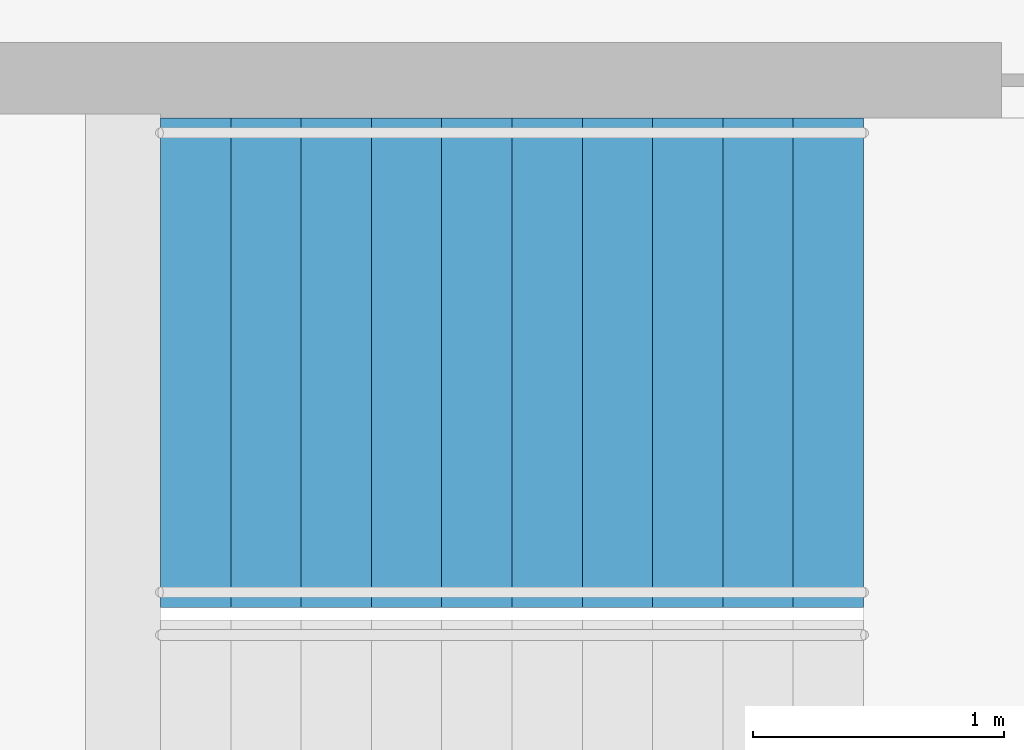
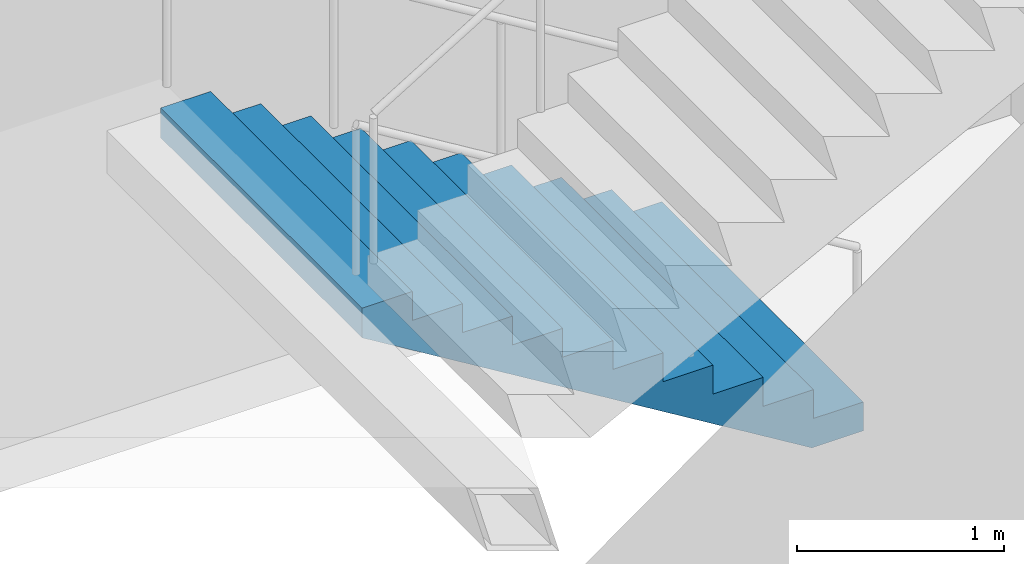
# One storey, part 23 of 24: 1 stair flight, 1 element without a shape of its own.
"""IFC4 building model written with IfcOpenShell, lengths in metres."""

from ifc_helpers import new_model, si_unit, direction, frame, origin, place, context, subcontext, project, spatial, triangles, material, type_object, element, aggregate, save


model = new_model("IFC4")

# Units and contexts
model_context = context("Model", 3, precision=1e-05, world=origin(), true_north=direction((0.0, 1.0)))
body_context = subcontext(model_context, "Body", "Model", "MODEL_VIEW")
ifc_project = project(units=[si_unit("LENGTHUNIT", "METRE"), si_unit("AREAUNIT", "SQUARE_METRE"), si_unit("VOLUMEUNIT", "CUBIC_METRE"), si_unit("PLANEANGLEUNIT", "RADIAN"), si_unit("MASSUNIT", "GRAM", prefix="KILO")], contexts=[model_context])

# Site, building, storey
site_placement = place(None, origin())
site = spatial("IfcSite", under=ifc_project, at=site_placement, CompositionType="ELEMENT")
building_placement = place(site_placement, origin())
building = spatial("IfcBuilding", under=site, at=building_placement, Name="Orbita Commons", CompositionType="ELEMENT")
storey_placement = place(building_placement, frame((0.0, 0.0, 20.199951171875)))
storey = spatial("IfcBuildingStorey", under=building, at=storey_placement, Name="L04", CompositionType="ELEMENT", Elevation=20.199951171875)

# Stair, stair flight
ifc_material_1 = material(Name="Precast concrete C40/50", Category="concrete")
stair_type = type_object("IfcStairType", Name="Exit stair S2 2 flights 11 risers 170", PredefinedType="HALF_TURN_STAIR", material=ifc_material_1)
stair_placement = place(storey_placement, origin())
stair = element("IfcStair", 1, at=stair_placement, inside=storey, type_object=stair_type, Name="Exit stair S2 L04", PredefinedType="HALF_TURN_STAIR")
ifc_material_2 = material(Name="Precast concrete C40/50", Category="concrete")
stair_flight_type = type_object("IfcStairFlightType", Name="Stair flight 11 risers 170 x 280", PredefinedType="STRAIGHT", material=ifc_material_2)
stair_flight_placement = place(storey_placement, frame((63.550048828125, 29.27490234375, 0.0), z_axis=(0.0, 0.0, 1.0), x_axis=(-1.0, 0.0, 0.0)))
stair_flight = element("IfcStairFlight", 2, at=stair_flight_placement, type_object=stair_flight_type, Name="S2 flight 1", NumberOfRisers=11, NumberOfTreads=10, PredefinedType="STRAIGHT", RiserHeight=0.170454545, TreadLength=0.28, context=body_context, shape_type="Tessellation", body=[
    triangles([(0.0, 0.974976, 0.0), (0.0, 0.974976, 0.021307), (0.0, 0.81248, 0.021307), (0.0, 0.81248, 0.0), (0.0, 0.649984, 0.021307), (0.0, 0.649984, 0.0), (0.0, 0.487488, 0.021307), (0.0, 0.487488, 0.0), (0.0, 0.324992, 0.021307), (0.0, 0.324992, 0.0), (0.0, 0.162496, 0.021307), (0.0, 0.162496, 0.0), (0.0, 0.0, 0.021307), (0.0, 0.0, 0.0), (0.0, -0.162496, 0.021307), (0.0, -0.162496, 0.0), (0.0, -0.324992, 0.021307), (0.0, -0.324992, 0.0), (0.0, -0.487488, 0.021307), (0.0, -0.487488, 0.0), (0.0, -0.649984, 0.021307), (0.0, -0.649984, 0.0), (0.0, -0.81248, 0.021307), (0.0, -0.81248, 0.0), (0.0, -0.974976, 0.021307), (0.0, -0.974976, 0.0), (0.0, 0.974976, 0.042614), (0.0, 0.81248, 0.042614), (0.0, 0.649984, 0.042614), (0.0, 0.487488, 0.042614), (0.0, 0.324992, 0.042614), (0.0, 0.162496, 0.042614), (0.0, 0.0, 0.042614), (0.0, -0.162496, 0.042614), (0.0, -0.324992, 0.042614), (0.0, -0.487488, 0.042614), (0.0, -0.649984, 0.042614), (0.0, -0.81248, 0.042614), (0.0, -0.974976, 0.042614), (0.0, 0.974976, 0.06392), (0.0, 0.81248, 0.06392), (0.0, 0.649984, 0.06392), (0.0, 0.487488, 0.06392), (0.0, 0.324992, 0.06392), (0.0, 0.162496, 0.06392), (0.0, 0.0, 0.06392), (0.0, -0.162496, 0.06392), (0.0, -0.324992, 0.06392), (0.0, -0.487488, 0.06392), (0.0, -0.649984, 0.06392), (0.0, -0.81248, 0.06392), (0.0, -0.974976, 0.06392), (0.0, 0.974976, 0.085227), (0.0, 0.81248, 0.085227), (0.0, 0.649984, 0.085227), (0.0, 0.487488, 0.085227), (0.0, 0.324992, 0.085227), (0.0, 0.162496, 0.085227), (0.0, 0.0, 0.085227), (0.0, -0.162496, 0.085227), (0.0, -0.324992, 0.085227), (0.0, -0.487488, 0.085227), (0.0, -0.649984, 0.085227), (0.0, -0.81248, 0.085227), (0.0, -0.974976, 0.085227), (0.0, 0.974976, 0.106534), (0.0, 0.81248, 0.106534), (0.0, 0.649984, 0.106534), (0.0, 0.487488, 0.106534), (0.0, 0.324992, 0.106534), (0.0, 0.162496, 0.106534), (0.0, 0.0, 0.106534), (0.0, -0.162496, 0.106534), (0.0, -0.324992, 0.106534), (0.0, -0.487488, 0.106534), (0.0, -0.649984, 0.106534), (0.0, -0.81248, 0.106534), (0.0, -0.974976, 0.106534), (0.0, 0.974976, 0.127841), (0.0, 0.81248, 0.127841), (0.0, 0.649984, 0.127841), (0.0, 0.487488, 0.127841), (0.0, 0.324992, 0.127841), (0.0, 0.162496, 0.127841), (0.0, 0.0, 0.127841), (0.0, -0.162496, 0.127841), (0.0, -0.324992, 0.127841), (0.0, -0.487488, 0.127841), (0.0, -0.649984, 0.127841), (0.0, -0.81248, 0.127841), (0.0, -0.974976, 0.127841), (0.0, 0.974976, 0.149148), (0.0, 0.81248, 0.149148), (0.0, 0.649984, 0.149148), (0.0, 0.487488, 0.149148), (0.0, 0.324992, 0.149148), (0.0, 0.162496, 0.149148), (0.0, 0.0, 0.149148), (0.0, -0.162496, 0.149148), (0.0, -0.324992, 0.149148), (0.0, -0.487488, 0.149148), (0.0, -0.649984, 0.149148), (0.0, -0.81248, 0.149148), (0.0, -0.974976, 0.149148), (0.0, 0.974976, 0.170455), (0.0, 0.81248, 0.170455), (0.0, 0.649984, 0.170455), (0.0, 0.487488, 0.170455), (0.0, 0.324992, 0.170455), (0.0, 0.162496, 0.170455), (0.0, 0.0, 0.170455), (0.0, -0.162496, 0.170455), (0.0, -0.324992, 0.170455), (0.0, -0.487488, 0.170455), (0.0, -0.649984, 0.170455), (0.0, -0.81248, 0.170455), (0.0, -0.974976, 0.170455), (0.28, 0.974976, 0.170455), (0.28, 0.81248, 0.170455), (0.28, 0.649984, 0.170455), (0.28, 0.487488, 0.170455), (0.28, 0.324992, 0.170455), (0.28, 0.162496, 0.170455), (0.28, 0.0, 0.170455), (0.28, -0.162496, 0.170455), (0.28, -0.324992, 0.170455), (0.28, -0.487488, 0.170455), (0.28, -0.649984, 0.170455), (0.28, -0.81248, 0.170455), (0.28, -0.974976, 0.170455), (0.28, 0.974976, 0.340909), (0.28, 0.81248, 0.340909), (0.28, 0.649984, 0.340909), (0.28, 0.487488, 0.340909), (0.28, 0.324992, 0.340909), (0.28, 0.162496, 0.340909), (0.28, 0.0, 0.340909), (0.28, -0.162496, 0.340909), (0.28, -0.324992, 0.340909), (0.28, -0.487488, 0.340909), (0.28, -0.649984, 0.340909), (0.28, -0.81248, 0.340909), (0.28, -0.974976, 0.340909), (0.56, 0.974976, 0.340909), (0.56, 0.81248, 0.340909), (0.56, 0.649984, 0.340909), (0.56, 0.487488, 0.340909), (0.56, 0.324992, 0.340909), (0.56, 0.162496, 0.340909), (0.56, 0.0, 0.340909), (0.56, -0.162496, 0.340909), (0.56, -0.324992, 0.340909), (0.56, -0.487488, 0.340909), (0.56, -0.649984, 0.340909), (0.56, -0.81248, 0.340909), (0.56, -0.974976, 0.340909), (0.56, 0.974976, 0.511364), (0.56, 0.81248, 0.511364), (0.56, 0.649984, 0.511364), (0.56, 0.487488, 0.511364), (0.56, 0.324992, 0.511364), (0.56, 0.162496, 0.511364), (0.56, 0.0, 0.511364), (0.56, -0.162496, 0.511364), (0.56, -0.324992, 0.511364), (0.56, -0.487488, 0.511364), (0.56, -0.649984, 0.511364), (0.56, -0.81248, 0.511364), (0.56, -0.974976, 0.511364), (0.84, 0.974976, 0.511364), (0.84, 0.81248, 0.511364), (0.84, 0.649984, 0.511364), (0.84, 0.487488, 0.511364), (0.84, 0.324992, 0.511364), (0.84, 0.162496, 0.511364), (0.84, 0.0, 0.511364), (0.84, -0.162496, 0.511364), (0.84, -0.324992, 0.511364), (0.84, -0.487488, 0.511364), (0.84, -0.649984, 0.511364), (0.84, -0.81248, 0.511364), (0.84, -0.974976, 0.511364), (0.84, 0.974976, 0.681818), (0.84, 0.81248, 0.681818), (0.84, 0.649984, 0.681818), (0.84, 0.487488, 0.681818), (0.84, 0.324992, 0.681818), (0.84, 0.162496, 0.681818), (0.84, 0.0, 0.681818), (0.84, -0.162496, 0.681818), (0.84, -0.324992, 0.681818), (0.84, -0.487488, 0.681818), (0.84, -0.649984, 0.681818), (0.84, -0.81248, 0.681818), (0.84, -0.974976, 0.681818), (1.12, 0.974976, 0.681818), (1.12, 0.81248, 0.681818), (1.12, 0.649984, 0.681818), (1.12, 0.487488, 0.681818), (1.12, 0.324992, 0.681818), (1.12, 0.162496, 0.681818), (1.12, 0.0, 0.681818), (1.12, -0.162496, 0.681818), (1.12, -0.324992, 0.681818), (1.12, -0.487488, 0.681818), (1.12, -0.649984, 0.681818), (1.12, -0.81248, 0.681818), (1.12, -0.974976, 0.681818), (1.12, 0.974976, 0.852273), (1.12, 0.81248, 0.852273), (1.12, 0.649984, 0.852273), (1.12, 0.487488, 0.852273), (1.12, 0.324992, 0.852273), (1.12, 0.162496, 0.852273), (1.12, 0.0, 0.852273), (1.12, -0.162496, 0.852273), (1.12, -0.324992, 0.852273), (1.12, -0.487488, 0.852273), (1.12, -0.649984, 0.852273), (1.12, -0.81248, 0.852273), (1.12, -0.974976, 0.852273), (1.4, 0.974976, 0.852273), (1.4, 0.81248, 0.852273), (1.4, 0.649984, 0.852273), (1.4, 0.487488, 0.852273), (1.4, 0.324992, 0.852273), (1.4, 0.162496, 0.852273), (1.4, 0.0, 0.852273), (1.4, -0.162496, 0.852273), (1.4, -0.324992, 0.852273), (1.4, -0.487488, 0.852273), (1.4, -0.649984, 0.852273), (1.4, -0.81248, 0.852273), (1.4, -0.974976, 0.852273), (1.4, 0.974976, 1.022727), (1.4, 0.81248, 1.022727), (1.4, 0.649984, 1.022727), (1.4, 0.487488, 1.022727), (1.4, 0.324992, 1.022727), (1.4, 0.162496, 1.022727), (1.4, 0.0, 1.022727), (1.4, -0.162496, 1.022727), (1.4, -0.324992, 1.022727), (1.4, -0.487488, 1.022727), (1.4, -0.649984, 1.022727), (1.4, -0.81248, 1.022727), (1.4, -0.974976, 1.022727), (1.68, 0.974976, 1.022727), (1.68, 0.81248, 1.022727), (1.68, 0.649984, 1.022727), (1.68, 0.487488, 1.022727), (1.68, 0.324992, 1.022727), (1.68, 0.162496, 1.022727), (1.68, 0.0, 1.022727), (1.68, -0.162496, 1.022727), (1.68, -0.324992, 1.022727), (1.68, -0.487488, 1.022727), (1.68, -0.649984, 1.022727), (1.68, -0.81248, 1.022727), (1.68, -0.974976, 1.022727), (1.68, 0.974976, 1.193182), (1.68, 0.81248, 1.193182), (1.68, 0.649984, 1.193182), (1.68, 0.487488, 1.193182), (1.68, 0.324992, 1.193182), (1.68, 0.162496, 1.193182), (1.68, 0.0, 1.193182), (1.68, -0.162496, 1.193182), (1.68, -0.324992, 1.193182), (1.68, -0.487488, 1.193182), (1.68, -0.649984, 1.193182), (1.68, -0.81248, 1.193182), (1.68, -0.974976, 1.193182), (1.96, 0.974976, 1.193182), (1.96, 0.81248, 1.193182), (1.96, 0.649984, 1.193182), (1.96, 0.487488, 1.193182), (1.96, 0.324992, 1.193182), (1.96, 0.162496, 1.193182), (1.96, 0.0, 1.193182), (1.96, -0.162496, 1.193182), (1.96, -0.324992, 1.193182), (1.96, -0.487488, 1.193182), (1.96, -0.649984, 1.193182), (1.96, -0.81248, 1.193182), (1.96, -0.974976, 1.193182), (1.96, 0.974976, 1.363636), (1.96, 0.81248, 1.363636), (1.96, 0.649984, 1.363636), (1.96, 0.487488, 1.363636), (1.96, 0.324992, 1.363636), (1.96, 0.162496, 1.363636), (1.96, 0.0, 1.363636), (1.96, -0.162496, 1.363636), (1.96, -0.324992, 1.363636), (1.96, -0.487488, 1.363636), (1.96, -0.649984, 1.363636), (1.96, -0.81248, 1.363636), (1.96, -0.974976, 1.363636), (2.24, 0.974976, 1.363636), (2.24, 0.81248, 1.363636), (2.24, 0.649984, 1.363636), (2.24, 0.487488, 1.363636), (2.24, 0.324992, 1.363636), (2.24, 0.162496, 1.363636), (2.24, 0.0, 1.363636), (2.24, -0.162496, 1.363636), (2.24, -0.324992, 1.363636), (2.24, -0.487488, 1.363636), (2.24, -0.649984, 1.363636), (2.24, -0.81248, 1.363636), (2.24, -0.974976, 1.363636), (2.24, 0.974976, 1.534091), (2.24, 0.81248, 1.534091), (2.24, 0.649984, 1.534091), (2.24, 0.487488, 1.534091), (2.24, 0.324992, 1.534091), (2.24, 0.162496, 1.534091), (2.24, 0.0, 1.534091), (2.24, -0.162496, 1.534091), (2.24, -0.324992, 1.534091), (2.24, -0.487488, 1.534091), (2.24, -0.649984, 1.534091), (2.24, -0.81248, 1.534091), (2.24, -0.974976, 1.534091), (2.52, 0.974976, 1.534091), (2.52, 0.81248, 1.534091), (2.52, 0.649984, 1.534091), (2.52, 0.487488, 1.534091), (2.52, 0.324992, 1.534091), (2.52, 0.162496, 1.534091), (2.52, 0.0, 1.534091), (2.52, -0.162496, 1.534091), (2.52, -0.324992, 1.534091), (2.52, -0.487488, 1.534091), (2.52, -0.649984, 1.534091), (2.52, -0.81248, 1.534091), (2.52, -0.974976, 1.534091), (2.52, 0.974976, 1.704545), (2.52, 0.81248, 1.704545), (2.52, 0.649984, 1.704545), (2.52, 0.487488, 1.704545), (2.52, 0.324992, 1.704545), (2.52, 0.162496, 1.704545), (2.52, 0.0, 1.704545), (2.52, -0.162496, 1.704545), (2.52, -0.324992, 1.704545), (2.52, -0.487488, 1.704545), (2.52, -0.649984, 1.704545), (2.52, -0.81248, 1.704545), (2.52, -0.974976, 1.704545), (2.8, 0.974976, 1.704545), (2.8, 0.81248, 1.704545), (2.8, 0.649984, 1.704545), (2.8, 0.487488, 1.704545), (2.8, 0.324992, 1.704545), (2.8, 0.162496, 1.704545), (2.8, 0.0, 1.704545), (2.8, -0.162496, 1.704545), (2.8, -0.324992, 1.704545), (2.8, -0.487488, 1.704545), (2.8, -0.649984, 1.704545), (2.8, -0.81248, 1.704545), (2.8, -0.974976, 1.704545), (2.8, 0.974976, 1.682609), (2.8, 0.81248, 1.682609), (2.8, 0.649984, 1.682609), (2.8, 0.487488, 1.682609), (2.8, 0.324992, 1.682609), (2.8, 0.162496, 1.682609), (2.8, 0.0, 1.682609), (2.8, -0.162496, 1.682609), (2.8, -0.324992, 1.682609), (2.8, -0.487488, 1.682609), (2.8, -0.649984, 1.682609), (2.8, -0.81248, 1.682609), (2.8, -0.974976, 1.682609), (2.8, 0.974976, 1.660672), (2.8, 0.81248, 1.660672), (2.8, 0.649984, 1.660672), (2.8, 0.487488, 1.660672), (2.8, 0.324992, 1.660672), (2.8, 0.162496, 1.660672), (2.8, 0.0, 1.660672), (2.8, -0.162496, 1.660672), (2.8, -0.324992, 1.660672), (2.8, -0.487488, 1.660672), (2.8, -0.649984, 1.660672), (2.8, -0.81248, 1.660672), (2.8, -0.974976, 1.660672), (2.8, 0.974976, 1.638735), (2.8, 0.81248, 1.638735), (2.8, 0.649984, 1.638735), (2.8, 0.487488, 1.638735), (2.8, 0.324992, 1.638735), (2.8, 0.162496, 1.638735), (2.8, 0.0, 1.638735), (2.8, -0.162496, 1.638735), (2.8, -0.324992, 1.638735), (2.8, -0.487488, 1.638735), (2.8, -0.649984, 1.638735), (2.8, -0.81248, 1.638735), (2.8, -0.974976, 1.638735), (2.8, 0.974976, 1.616798), (2.8, 0.81248, 1.616798), (2.8, 0.649984, 1.616798), (2.8, 0.487488, 1.616798), (2.8, 0.324992, 1.616798), (2.8, 0.162496, 1.616798), (2.8, 0.0, 1.616798), (2.8, -0.162496, 1.616798), (2.8, -0.324992, 1.616798), (2.8, -0.487488, 1.616798), (2.8, -0.649984, 1.616798), (2.8, -0.81248, 1.616798), (2.8, -0.974976, 1.616798), (2.8, 0.974976, 1.594861), (2.8, 0.81248, 1.594861), (2.8, 0.649984, 1.594861), (2.8, 0.487488, 1.594861), (2.8, 0.324992, 1.594861), (2.8, 0.162496, 1.594861), (2.8, 0.0, 1.594861), (2.8, -0.162496, 1.594861), (2.8, -0.324992, 1.594861), (2.8, -0.487488, 1.594861), (2.8, -0.649984, 1.594861), (2.8, -0.81248, 1.594861), (2.8, -0.974976, 1.594861), (2.8, 0.974976, 1.572925), (2.8, 0.81248, 1.572925), (2.8, 0.649984, 1.572925), (2.8, 0.487488, 1.572925), (2.8, 0.324992, 1.572925), (2.8, 0.162496, 1.572925), (2.8, 0.0, 1.572925), (2.8, -0.162496, 1.572925), (2.8, -0.324992, 1.572925), (2.8, -0.487488, 1.572925), (2.8, -0.649984, 1.572925), (2.8, -0.81248, 1.572925), (2.8, -0.974976, 1.572925), (2.8, 0.974976, 1.550988), (2.8, 0.81248, 1.550988), (2.8, 0.649984, 1.550988), (2.8, 0.487488, 1.550988), (2.8, 0.324992, 1.550988), (2.8, 0.162496, 1.550988), (2.8, 0.0, 1.550988), (2.8, -0.162496, 1.550988), (2.8, -0.324992, 1.550988), (2.8, -0.487488, 1.550988), (2.8, -0.649984, 1.550988), (2.8, -0.81248, 1.550988), (2.8, -0.974976, 1.550988), (2.8, 0.974976, 1.529051), (2.8, 0.81248, 1.529051), (2.8, 0.649984, 1.529051), (2.8, 0.487488, 1.529051), (2.8, 0.324992, 1.529051), (2.8, 0.162496, 1.529051), (2.8, 0.0, 1.529051), (2.8, -0.162496, 1.529051), (2.8, -0.324992, 1.529051), (2.8, -0.487488, 1.529051), (2.8, -0.649984, 1.529051), (2.8, -0.81248, 1.529051), (2.8, -0.974976, 1.529051), (0.288279, 0.974976, 0.0), (0.288279, 0.81248, 0.0), (0.288279, 0.649984, 0.0), (0.288279, 0.487488, 0.0), (0.288279, 0.324992, 0.0), (0.288279, 0.162496, 0.0), (0.288279, 0.0, 0.0), (0.288279, -0.162496, 0.0), (0.288279, -0.324992, 0.0), (0.288279, -0.487488, 0.0), (0.288279, -0.649984, 0.0), (0.288279, -0.81248, 0.0), (0.288279, -0.974976, 0.0)], [[3, 2, 1], [4, 3, 1], [5, 3, 4], [6, 5, 4], [7, 5, 6], [8, 7, 6], [9, 7, 8], [10, 9, 8], [11, 9, 10], [12, 11, 10], [13, 11, 12], [14, 13, 12], [15, 13, 14], [16, 15, 14], [17, 15, 16], [18, 17, 16], [19, 17, 18], [20, 19, 18], [21, 19, 20], [22, 21, 20], [23, 21, 22], [24, 23, 22], [25, 23, 24], [26, 25, 24], [28, 27, 2], [3, 28, 2], [29, 28, 3], [5, 29, 3], [30, 29, 5], [7, 30, 5], [31, 30, 7], [9, 31, 7], [32, 31, 9], [11, 32, 9], [33, 32, 11], [13, 33, 11], [34, 33, 13], [15, 34, 13], [35, 34, 15], [17, 35, 15], [36, 35, 17], [19, 36, 17], [37, 36, 19], [21, 37, 19], [38, 37, 21], [23, 38, 21], [39, 38, 23], [25, 39, 23], [41, 40, 27], [28, 41, 27], [42, 41, 28], [29, 42, 28], [43, 42, 29], [30, 43, 29], [44, 43, 30], [31, 44, 30], [45, 44, 31], [32, 45, 31], [46, 45, 32], [33, 46, 32], [47, 46, 33], [34, 47, 33], [48, 47, 34], [35, 48, 34], [49, 48, 35], [36, 49, 35], [50, 49, 36], [37, 50, 36], [51, 50, 37], [38, 51, 37], [52, 51, 38], [39, 52, 38], [54, 53, 40], [41, 54, 40], [55, 54, 41], [42, 55, 41], [56, 55, 42], [43, 56, 42], [57, 56, 43], [44, 57, 43], [58, 57, 44], [45, 58, 44], [59, 58, 45], [46, 59, 45], [60, 59, 46], [47, 60, 46], [61, 60, 47], [48, 61, 47], [62, 61, 48], [49, 62, 48], [63, 62, 49], [50, 63, 49], [64, 63, 50], [51, 64, 50], [65, 64, 51], [52, 65, 51], [67, 66, 53], [54, 67, 53], [68, 67, 54], [55, 68, 54], [69, 68, 55], [56, 69, 55], [70, 69, 56], [57, 70, 56], [71, 70, 57], [58, 71, 57], [72, 71, 58], [59, 72, 58], [73, 72, 59], [60, 73, 59], [74, 73, 60], [61, 74, 60], [75, 74, 61], [62, 75, 61], [76, 75, 62], [63, 76, 62], [77, 76, 63], [64, 77, 63], [78, 77, 64], [65, 78, 64], [80, 79, 66], [67, 80, 66], [81, 80, 67], [68, 81, 67], [82, 81, 68], [69, 82, 68], [83, 82, 69], [70, 83, 69], [84, 83, 70], [71, 84, 70], [85, 84, 71], [72, 85, 71], [86, 85, 72], [73, 86, 72], [87, 86, 73], [74, 87, 73], [88, 87, 74], [75, 88, 74], [89, 88, 75], [76, 89, 75], [90, 89, 76], [77, 90, 76], [91, 90, 77], [78, 91, 77], [93, 92, 79], [80, 93, 79], [94, 93, 80], [81, 94, 80], [95, 94, 81], [82, 95, 81], [96, 95, 82], [83, 96, 82], [97, 96, 83], [84, 97, 83], [98, 97, 84], [85, 98, 84], [99, 98, 85], [86, 99, 85], [100, 99, 86], [87, 100, 86], [101, 100, 87], [88, 101, 87], [102, 101, 88], [89, 102, 88], [103, 102, 89], [90, 103, 89], [104, 103, 90], [91, 104, 90], [106, 105, 92], [93, 106, 92], [107, 106, 93], [94, 107, 93], [108, 107, 94], [95, 108, 94], [109, 108, 95], [96, 109, 95], [110, 109, 96], [97, 110, 96], [111, 110, 97], [98, 111, 97], [112, 111, 98], [99, 112, 98], [113, 112, 99], [100, 113, 99], [114, 113, 100], [101, 114, 100], [115, 114, 101], [102, 115, 101], [116, 115, 102], [103, 116, 102], [117, 116, 103], [104, 117, 103], [119, 118, 105], [106, 119, 105], [120, 119, 106], [107, 120, 106], [121, 120, 107], [108, 121, 107], [122, 121, 108], [109, 122, 108], [123, 122, 109], [110, 123, 109], [124, 123, 110], [111, 124, 110], [125, 124, 111], [112, 125, 111], [126, 125, 112], [113, 126, 112], [127, 126, 113], [114, 127, 113], [128, 127, 114], [115, 128, 114], [129, 128, 115], [116, 129, 115], [130, 129, 116], [117, 130, 116], [132, 131, 118], [119, 132, 118], [133, 132, 119], [120, 133, 119], [134, 133, 120], [121, 134, 120], [135, 134, 121], [122, 135, 121], [136, 135, 122], [123, 136, 122], [137, 136, 123], [124, 137, 123], [138, 137, 124], [125, 138, 124], [139, 138, 125], [126, 139, 125], [140, 139, 126], [127, 140, 126], [141, 140, 127], [128, 141, 127], [142, 141, 128], [129, 142, 128], [143, 142, 129], [130, 143, 129], [145, 144, 131], [132, 145, 131], [146, 145, 132], [133, 146, 132], [147, 146, 133], [134, 147, 133], [148, 147, 134], [135, 148, 134], [149, 148, 135], [136, 149, 135], [150, 149, 136], [137, 150, 136], [151, 150, 137], [138, 151, 137], [152, 151, 138], [139, 152, 138], [153, 152, 139], [140, 153, 139], [154, 153, 140], [141, 154, 140], [155, 154, 141], [142, 155, 141], [156, 155, 142], [143, 156, 142], [158, 157, 144], [145, 158, 144], [159, 158, 145], [146, 159, 145], [160, 159, 146], [147, 160, 146], [161, 160, 147], [148, 161, 147], [162, 161, 148], [149, 162, 148], [163, 162, 149], [150, 163, 149], [164, 163, 150], [151, 164, 150], [165, 164, 151], [152, 165, 151], [166, 165, 152], [153, 166, 152], [167, 166, 153], [154, 167, 153], [168, 167, 154], [155, 168, 154], [169, 168, 155], [156, 169, 155], [171, 170, 157], [158, 171, 157], [172, 171, 158], [159, 172, 158], [173, 172, 159], [160, 173, 159], [174, 173, 160], [161, 174, 160], [175, 174, 161], [162, 175, 161], [176, 175, 162], [163, 176, 162], [177, 176, 163], [164, 177, 163], [178, 177, 164], [165, 178, 164], [179, 178, 165], [166, 179, 165], [180, 179, 166], [167, 180, 166], [181, 180, 167], [168, 181, 167], [182, 181, 168], [169, 182, 168], [184, 183, 170], [171, 184, 170], [185, 184, 171], [172, 185, 171], [186, 185, 172], [173, 186, 172], [187, 186, 173], [174, 187, 173], [188, 187, 174], [175, 188, 174], [189, 188, 175], [176, 189, 175], [190, 189, 176], [177, 190, 176], [191, 190, 177], [178, 191, 177], [192, 191, 178], [179, 192, 178], [193, 192, 179], [180, 193, 179], [194, 193, 180], [181, 194, 180], [195, 194, 181], [182, 195, 181], [197, 196, 183], [184, 197, 183], [198, 197, 184], [185, 198, 184], [199, 198, 185], [186, 199, 185], [200, 199, 186], [187, 200, 186], [201, 200, 187], [188, 201, 187], [202, 201, 188], [189, 202, 188], [203, 202, 189], [190, 203, 189], [204, 203, 190], [191, 204, 190], [205, 204, 191], [192, 205, 191], [206, 205, 192], [193, 206, 192], [207, 206, 193], [194, 207, 193], [208, 207, 194], [195, 208, 194], [210, 209, 196], [197, 210, 196], [211, 210, 197], [198, 211, 197], [212, 211, 198], [199, 212, 198], [213, 212, 199], [200, 213, 199], [214, 213, 200], [201, 214, 200], [215, 214, 201], [202, 215, 201], [216, 215, 202], [203, 216, 202], [217, 216, 203], [204, 217, 203], [218, 217, 204], [205, 218, 204], [219, 218, 205], [206, 219, 205], [220, 219, 206], [207, 220, 206], [221, 220, 207], [208, 221, 207], [223, 222, 209], [210, 223, 209], [224, 223, 210], [211, 224, 210], [225, 224, 211], [212, 225, 211], [226, 225, 212], [213, 226, 212], [227, 226, 213], [214, 227, 213], [228, 227, 214], [215, 228, 214], [229, 228, 215], [216, 229, 215], [230, 229, 216], [217, 230, 216], [231, 230, 217], [218, 231, 217], [232, 231, 218], [219, 232, 218], [233, 232, 219], [220, 233, 219], [234, 233, 220], [221, 234, 220], [236, 235, 222], [223, 236, 222], [237, 236, 223], [224, 237, 223], [238, 237, 224], [225, 238, 224], [239, 238, 225], [226, 239, 225], [240, 239, 226], [227, 240, 226], [241, 240, 227], [228, 241, 227], [242, 241, 228], [229, 242, 228], [243, 242, 229], [230, 243, 229], [244, 243, 230], [231, 244, 230], [245, 244, 231], [232, 245, 231], [246, 245, 232], [233, 246, 232], [247, 246, 233], [234, 247, 233], [249, 248, 235], [236, 249, 235], [250, 249, 236], [237, 250, 236], [251, 250, 237], [238, 251, 237], [252, 251, 238], [239, 252, 238], [253, 252, 239], [240, 253, 239], [254, 253, 240], [241, 254, 240], [255, 254, 241], [242, 255, 241], [256, 255, 242], [243, 256, 242], [257, 256, 243], [244, 257, 243], [258, 257, 244], [245, 258, 244], [259, 258, 245], [246, 259, 245], [260, 259, 246], [247, 260, 246], [262, 261, 248], [249, 262, 248], [263, 262, 249], [250, 263, 249], [264, 263, 250], [251, 264, 250], [265, 264, 251], [252, 265, 251], [266, 265, 252], [253, 266, 252], [267, 266, 253], [254, 267, 253], [268, 267, 254], [255, 268, 254], [269, 268, 255], [256, 269, 255], [270, 269, 256], [257, 270, 256], [271, 270, 257], [258, 271, 257], [272, 271, 258], [259, 272, 258], [273, 272, 259], [260, 273, 259], [275, 274, 261], [262, 275, 261], [276, 275, 262], [263, 276, 262], [277, 276, 263], [264, 277, 263], [278, 277, 264], [265, 278, 264], [279, 278, 265], [266, 279, 265], [280, 279, 266], [267, 280, 266], [281, 280, 267], [268, 281, 267], [282, 281, 268], [269, 282, 268], [283, 282, 269], [270, 283, 269], [284, 283, 270], [271, 284, 270], [285, 284, 271], [272, 285, 271], [286, 285, 272], [273, 286, 272], [288, 287, 274], [275, 288, 274], [289, 288, 275], [276, 289, 275], [290, 289, 276], [277, 290, 276], [291, 290, 277], [278, 291, 277], [292, 291, 278], [279, 292, 278], [293, 292, 279], [280, 293, 279], [294, 293, 280], [281, 294, 280], [295, 294, 281], [282, 295, 281], [296, 295, 282], [283, 296, 282], [297, 296, 283], [284, 297, 283], [298, 297, 284], [285, 298, 284], [299, 298, 285], [286, 299, 285], [301, 300, 287], [288, 301, 287], [302, 301, 288], [289, 302, 288], [303, 302, 289], [290, 303, 289], [304, 303, 290], [291, 304, 290], [305, 304, 291], [292, 305, 291], [306, 305, 292], [293, 306, 292], [307, 306, 293], [294, 307, 293], [308, 307, 294], [295, 308, 294], [309, 308, 295], [296, 309, 295], [310, 309, 296], [297, 310, 296], [311, 310, 297], [298, 311, 297], [312, 311, 298], [299, 312, 298], [314, 313, 300], [301, 314, 300], [315, 314, 301], [302, 315, 301], [316, 315, 302], [303, 316, 302], [317, 316, 303], [304, 317, 303], [318, 317, 304], [305, 318, 304], [319, 318, 305], [306, 319, 305], [320, 319, 306], [307, 320, 306], [321, 320, 307], [308, 321, 307], [322, 321, 308], [309, 322, 308], [323, 322, 309], [310, 323, 309], [324, 323, 310], [311, 324, 310], [325, 324, 311], [312, 325, 311], [327, 326, 313], [314, 327, 313], [328, 327, 314], [315, 328, 314], [329, 328, 315], [316, 329, 315], [330, 329, 316], [317, 330, 316], [331, 330, 317], [318, 331, 317], [332, 331, 318], [319, 332, 318], [333, 332, 319], [320, 333, 319], [334, 333, 320], [321, 334, 320], [335, 334, 321], [322, 335, 321], [336, 335, 322], [323, 336, 322], [337, 336, 323], [324, 337, 323], [338, 337, 324], [325, 338, 324], [340, 339, 326], [327, 340, 326], [341, 340, 327], [328, 341, 327], [342, 341, 328], [329, 342, 328], [343, 342, 329], [330, 343, 329], [344, 343, 330], [331, 344, 330], [345, 344, 331], [332, 345, 331], [346, 345, 332], [333, 346, 332], [347, 346, 333], [334, 347, 333], [348, 347, 334], [335, 348, 334], [349, 348, 335], [336, 349, 335], [350, 349, 336], [337, 350, 336], [351, 350, 337], [338, 351, 337], [353, 352, 339], [340, 353, 339], [354, 353, 340], [341, 354, 340], [355, 354, 341], [342, 355, 341], [356, 355, 342], [343, 356, 342], [357, 356, 343], [344, 357, 343], [358, 357, 344], [345, 358, 344], [359, 358, 345], [346, 359, 345], [360, 359, 346], [347, 360, 346], [361, 360, 347], [348, 361, 347], [362, 361, 348], [349, 362, 348], [363, 362, 349], [350, 363, 349], [364, 363, 350], [351, 364, 350], [366, 365, 352], [353, 366, 352], [367, 366, 353], [354, 367, 353], [368, 367, 354], [355, 368, 354], [369, 368, 355], [356, 369, 355], [370, 369, 356], [357, 370, 356], [371, 370, 357], [358, 371, 357], [372, 371, 358], [359, 372, 358], [373, 372, 359], [360, 373, 359], [374, 373, 360], [361, 374, 360], [375, 374, 361], [362, 375, 361], [376, 375, 362], [363, 376, 362], [377, 376, 363], [364, 377, 363], [379, 378, 365], [366, 379, 365], [380, 379, 366], [367, 380, 366], [381, 380, 367], [368, 381, 367], [382, 381, 368], [369, 382, 368], [383, 382, 369], [370, 383, 369], [384, 383, 370], [371, 384, 370], [385, 384, 371], [372, 385, 371], [386, 385, 372], [373, 386, 372], [387, 386, 373], [374, 387, 373], [388, 387, 374], [375, 388, 374], [389, 388, 375], [376, 389, 375], [390, 389, 376], [377, 390, 376], [392, 391, 378], [379, 392, 378], [393, 392, 379], [380, 393, 379], [394, 393, 380], [381, 394, 380], [395, 394, 381], [382, 395, 381], [396, 395, 382], [383, 396, 382], [397, 396, 383], [384, 397, 383], [398, 397, 384], [385, 398, 384], [399, 398, 385], [386, 399, 385], [400, 399, 386], [387, 400, 386], [401, 400, 387], [388, 401, 387], [402, 401, 388], [389, 402, 388], [403, 402, 389], [390, 403, 389], [405, 404, 391], [392, 405, 391], [406, 405, 392], [393, 406, 392], [407, 406, 393], [394, 407, 393], [408, 407, 394], [395, 408, 394], [409, 408, 395], [396, 409, 395], [410, 409, 396], [397, 410, 396], [411, 410, 397], [398, 411, 397], [412, 411, 398], [399, 412, 398], [413, 412, 399], [400, 413, 399], [414, 413, 400], [401, 414, 400], [415, 414, 401], [402, 415, 401], [416, 415, 402], [403, 416, 402], [418, 417, 404], [405, 418, 404], [419, 418, 405], [406, 419, 405], [420, 419, 406], [407, 420, 406], [421, 420, 407], [408, 421, 407], [422, 421, 408], [409, 422, 408], [423, 422, 409], [410, 423, 409], [424, 423, 410], [411, 424, 410], [425, 424, 411], [412, 425, 411], [426, 425, 412], [413, 426, 412], [427, 426, 413], [414, 427, 413], [428, 427, 414], [415, 428, 414], [429, 428, 415], [416, 429, 415], [431, 430, 417], [418, 431, 417], [432, 431, 418], [419, 432, 418], [433, 432, 419], [420, 433, 419], [434, 433, 420], [421, 434, 420], [435, 434, 421], [422, 435, 421], [436, 435, 422], [423, 436, 422], [437, 436, 423], [424, 437, 423], [438, 437, 424], [425, 438, 424], [439, 438, 425], [426, 439, 425], [440, 439, 426], [427, 440, 426], [441, 440, 427], [428, 441, 427], [442, 441, 428], [429, 442, 428], [444, 443, 430], [431, 444, 430], [445, 444, 431], [432, 445, 431], [446, 445, 432], [433, 446, 432], [447, 446, 433], [434, 447, 433], [448, 447, 434], [435, 448, 434], [449, 448, 435], [436, 449, 435], [450, 449, 436], [437, 450, 436], [451, 450, 437], [438, 451, 437], [452, 451, 438], [439, 452, 438], [453, 452, 439], [440, 453, 439], [454, 453, 440], [441, 454, 440], [455, 454, 441], [442, 455, 441], [457, 456, 443], [444, 457, 443], [458, 457, 444], [445, 458, 444], [459, 458, 445], [446, 459, 445], [460, 459, 446], [447, 460, 446], [461, 460, 447], [448, 461, 447], [462, 461, 448], [449, 462, 448], [463, 462, 449], [450, 463, 449], [464, 463, 450], [451, 464, 450], [465, 464, 451], [452, 465, 451], [466, 465, 452], [453, 466, 452], [467, 466, 453], [454, 467, 453], [468, 467, 454], [455, 468, 454], [470, 469, 456], [457, 470, 456], [471, 470, 457], [458, 471, 457], [472, 471, 458], [459, 472, 458], [473, 472, 459], [460, 473, 459], [474, 473, 460], [461, 474, 460], [475, 474, 461], [462, 475, 461], [476, 475, 462], [463, 476, 462], [477, 476, 463], [464, 477, 463], [478, 477, 464], [465, 478, 464], [479, 478, 465], [466, 479, 465], [480, 479, 466], [467, 480, 466], [481, 480, 467], [468, 481, 467], [4, 1, 469], [470, 4, 469], [6, 4, 470], [471, 6, 470], [8, 6, 471], [472, 8, 471], [10, 8, 472], [473, 10, 472], [12, 10, 473], [474, 12, 473], [14, 12, 474], [475, 14, 474], [16, 14, 475], [476, 16, 475], [18, 16, 476], [477, 18, 476], [20, 18, 477], [478, 20, 477], [22, 20, 478], [479, 22, 478], [24, 22, 479], [480, 24, 479], [26, 24, 480], [481, 26, 480], [456, 469, 1], [26, 481, 468], [443, 456, 1], [26, 468, 455], [430, 443, 1], [26, 455, 442], [417, 430, 1], [26, 442, 429], [404, 417, 1], [26, 429, 416], [391, 404, 1], [26, 416, 403], [378, 391, 1], [26, 403, 390], [365, 378, 1], [26, 390, 377], [339, 352, 365], [377, 364, 351], [326, 339, 365], [377, 351, 338], [300, 313, 326], [338, 325, 312], [300, 326, 365], [377, 338, 312], [274, 287, 300], [312, 299, 286], [274, 300, 365], [377, 312, 286], [248, 261, 274], [286, 273, 260], [248, 274, 365], [377, 286, 260], [222, 235, 248], [260, 247, 234], [222, 248, 365], [377, 260, 234], [196, 209, 222], [234, 221, 208], [196, 222, 365], [377, 234, 208], [170, 183, 196], [208, 195, 182], [170, 196, 365], [377, 208, 182], [144, 157, 170], [182, 169, 156], [144, 170, 365], [377, 182, 156], [118, 131, 144], [156, 143, 130], [118, 144, 365], [377, 156, 130], [118, 365, 1], [26, 377, 130], [92, 105, 118], [130, 117, 104], [79, 92, 118], [130, 104, 91], [66, 79, 118], [130, 91, 78], [53, 66, 118], [130, 78, 65], [40, 53, 118], [130, 65, 52], [27, 40, 118], [130, 52, 39], [2, 27, 118], [130, 39, 25], [1, 2, 118], [130, 25, 26]], closed=True),
])
aggregate(stair, [stair_flight])

save(model, "model.ifc")
